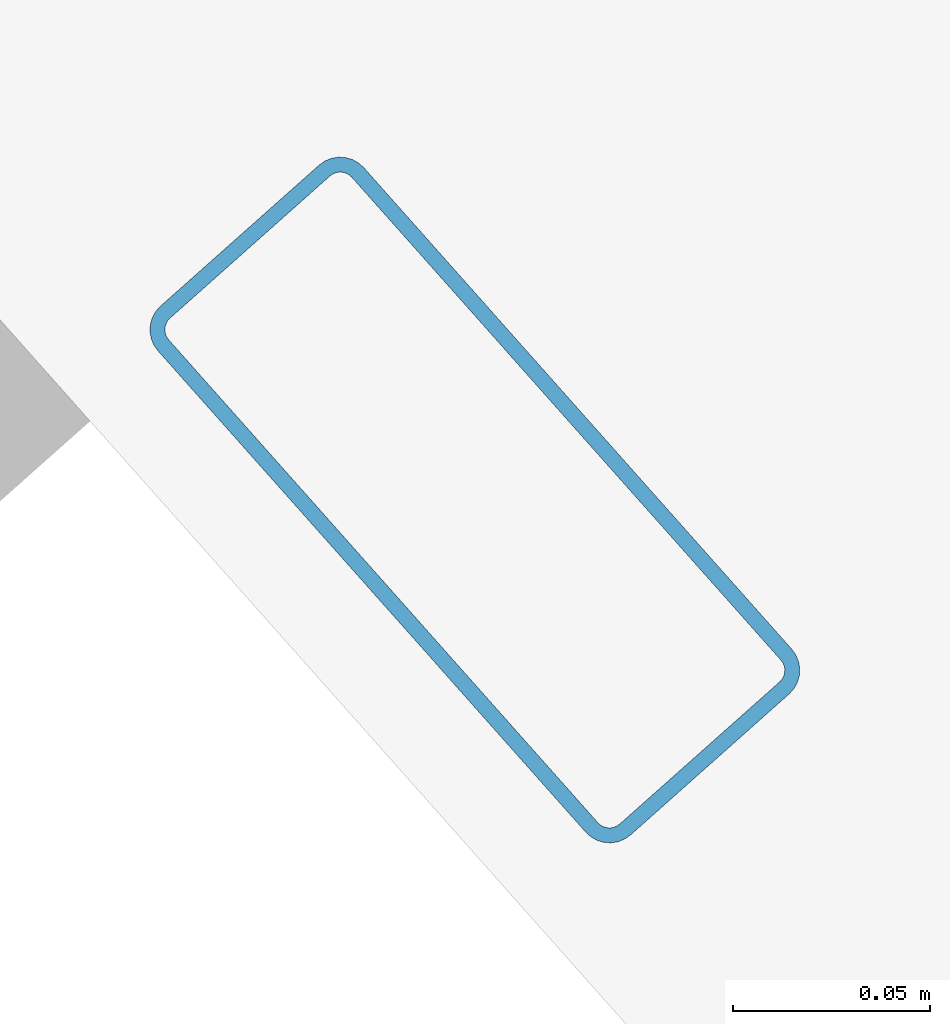
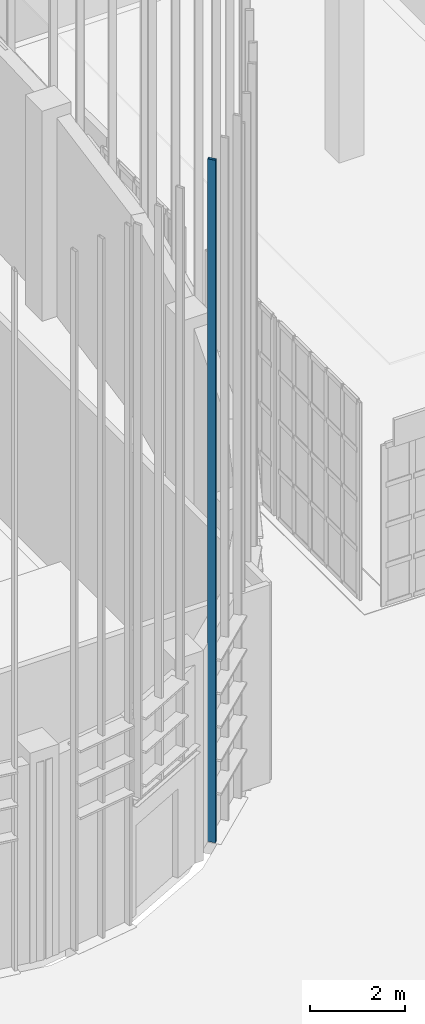
# One storey, part 258 of 372: 1 member.
"""IFC4 building model written with IfcOpenShell, lengths in metres."""

from ifc_helpers import new_model, si_unit, direction, frame, origin, origin_2d, place, context, subcontext, project, spatial, hollow_rectangle, extrude, material, material_profile, profile_set, type_object, element, save


model = new_model("IFC4")

# Units and contexts
model_context = context("Model", 3, precision=1e-05, world=origin(), true_north=direction((0.0, 1.0)))
body_context = subcontext(model_context, "Body", "Model", "MODEL_VIEW")
ifc_project = project(units=[si_unit("LENGTHUNIT", "METRE"), si_unit("AREAUNIT", "SQUARE_METRE"), si_unit("VOLUMEUNIT", "CUBIC_METRE"), si_unit("PLANEANGLEUNIT", "RADIAN"), si_unit("MASSUNIT", "GRAM", prefix="KILO")], contexts=[model_context])

# Site, building, storey
site_placement = place(None, origin())
site = spatial("IfcSite", under=ifc_project, at=site_placement, CompositionType="ELEMENT")
building_placement = place(site_placement, origin())
building = spatial("IfcBuilding", under=site, at=building_placement, Name="Kaelora Sail Theatre", CompositionType="ELEMENT")
storey_placement = place(building_placement, origin())
storey = spatial("IfcBuildingStorey", under=building, at=storey_placement, Name="L00", CompositionType="ELEMENT", Elevation=0.0)

# Member
ifc_material = material(Name="Anodised aluminium 6063-T6", Category="aluminium")
ifc_material_profile = material_profile(ifc_material, hollow_rectangle(XDim=0.070068359375, YDim=0.179931640625, WallThickness=0.00390625, InnerFilletRadius=0.00390625, OuterFilletRadius=0.008056640625, at=origin_2d()), Name="ALU-MULL 70x180x4")
ifc_profile_set = profile_set([ifc_material_profile], Name="Anodised aluminium 6063-T6")
member_type = type_object("IfcMemberType", Name="ARC-MEM-PST-160", PredefinedType="POST", material=ifc_profile_set)
member_placement = place(storey_placement, frame((140.36083984375, 25.662109375, 0.0), z_axis=(0.0, 0.0, 1.0), x_axis=(-0.747450357056, -0.664317667789, 0.0)))
element("IfcMember", 1, at=member_placement, inside=storey, type_object=member_type, Name="Black-Box and Experimental Sail Wing solar louvre vertical support post C8-3", PredefinedType="POST", context=body_context, shape_type="SweptSolid", body=[
    extrude(hollow_rectangle(XDim=0.070068359375, YDim=0.179931640625, WallThickness=0.00390625, InnerFilletRadius=0.00390625, OuterFilletRadius=0.008056640625, at=origin_2d()), origin(), (0.0, 0.0, 1.0), 17.541015625),
])

save(model, "model.ifc")
